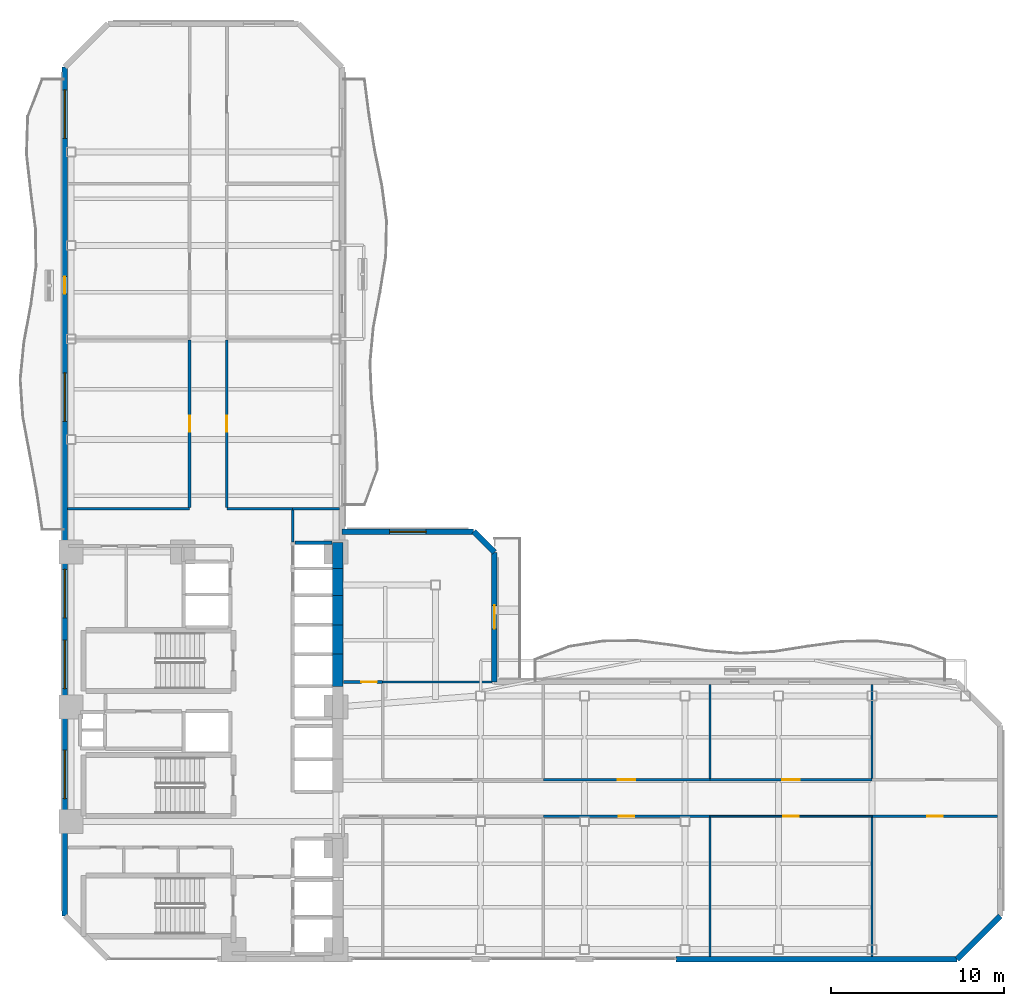
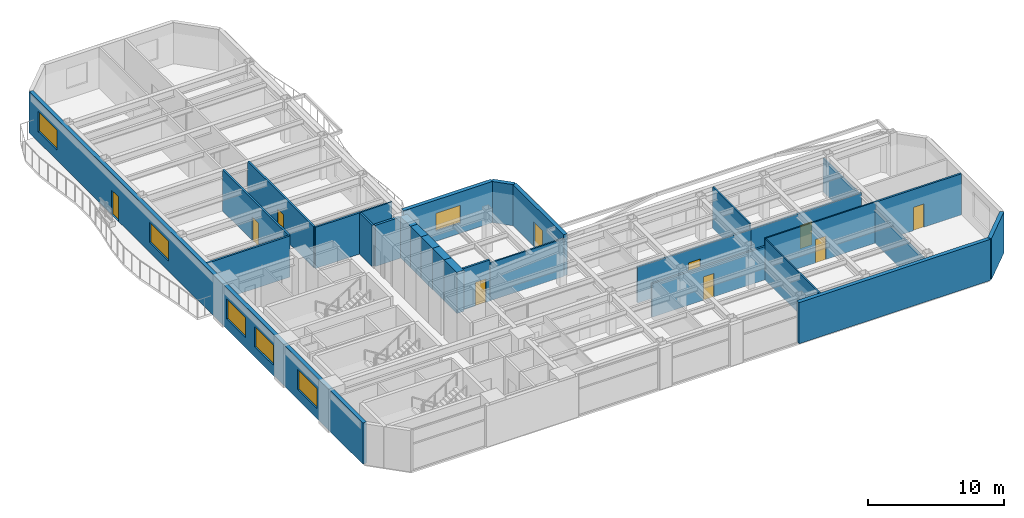
# One storey, part 11 of 17: 29 walls, 10 doors, 6 windows, 16 openings.
"""IFC4 building model written with IfcOpenShell, lengths in metres."""

from ifc_helpers import new_model, si_unit, direction, frame, frame_2d, origin, place, context, subcontext, project, spatial, rectangle, extrude, material, layer, layer_set, type_object, element, fill, save


model = new_model("IFC4")

# Units and contexts
model_context = context("Model", 3, precision=1e-05, world=origin(), true_north=direction((0.0, 1.0)))
body_context = subcontext(model_context, "Body", "Model", "MODEL_VIEW")
ifc_project = project(units=[si_unit("LENGTHUNIT", "METRE"), si_unit("AREAUNIT", "SQUARE_METRE"), si_unit("VOLUMEUNIT", "CUBIC_METRE"), si_unit("PLANEANGLEUNIT", "RADIAN"), si_unit("MASSUNIT", "GRAM", prefix="KILO")], contexts=[model_context])

# Site, building, storey
site_placement = place(None, origin())
site = spatial("IfcSite", under=ifc_project, at=site_placement, CompositionType="ELEMENT")
building_placement = place(site_placement, origin())
building = spatial("IfcBuilding", under=site, at=building_placement, Name="Mawjaban Terraces University", CompositionType="ELEMENT")
storey_placement = place(building_placement, frame((0.0, 0.0, 85.60009765625)))
storey = spatial("IfcBuildingStorey", under=building, at=storey_placement, Name="L20", CompositionType="ELEMENT", Elevation=85.60009765625)

# Walls
ifc_material_1 = material(Name="Concrete C70/85", Category="concrete")
ifc_layer_1 = layer(ifc_material_1, 0.60009765625)
ifc_layer_set_1 = layer_set([ifc_layer_1], Name="Concrete C70/85")
wall_type_1 = type_object("IfcWallType", Name="CoreShearWall_600", PredefinedType="SHEAR", material=ifc_layer_set_1)
wall_1_placement = place(storey_placement, frame((37.75, 15.75, 0.0), z_axis=(0.0, 0.0, 1.0), x_axis=(0.0, 1.0, 0.0)))
element("IfcWall", 1, at=wall_1_placement, inside=storey, type_object=wall_type_1, Name="L20 Lift OL-2 Hoistway Wall East", PredefinedType="SHEAR", context=body_context, shape_type="SweptSolid", body=[
    extrude(rectangle(XDim=1.85009765625, YDim=0.60009765625, at=frame_2d((0.925048828125, 0.0))), origin(), (0.0, 0.0, 1.0), 3.68994140625),
])
for number, where, z_axis, x_axis, name in (
    (2, (37.75, 17.60009765625, 0.0), (0.0, 0.0, 1.0), (0.0, 1.0, 0.0), "L20 Lift PL-M1 Hoistway Wall East"),
    (3, (37.75, 19.300048828125, 0.0), (0.0, 0.0, 1.0), (0.0, 1.0, 0.0), "L20 Lift PL-M2 Hoistway Wall East"),
):
    element("IfcWall", number, at=place(storey_placement, frame(where, z_axis=z_axis, x_axis=x_axis)), inside=storey, type_object=wall_type_1, Name=name, PredefinedType="SHEAR", context=body_context, shape_type="SweptSolid", body=[
        extrude(rectangle(XDim=1.699951171875, YDim=0.60009765625, at=frame_2d((0.85009765625, 0.0))), origin(), (0.0, 0.0, 1.0), 3.68994140625),
    ])
wall_2_placement = place(storey_placement, frame((37.75, 21.0, 0.0), z_axis=(0.0, 0.0, 1.0), x_axis=(0.0, 1.0, 0.0)))
element("IfcWall", 4, at=wall_2_placement, inside=storey, type_object=wall_type_1, Name="L20 Lift PL-L1 Hoistway Wall East", PredefinedType="SHEAR", context=body_context, shape_type="SweptSolid", body=[
    extrude(rectangle(XDim=1.550048828125, YDim=0.60009765625, at=frame_2d((0.77490234375, 0.0))), origin(), (0.0, 0.0, 1.0), 3.68994140625),
])
wall_3_placement = place(storey_placement, frame((37.75, 22.550048828125, 0.0), z_axis=(0.0, 0.0, 1.0), x_axis=(0.0, 1.0, 0.0)))
element("IfcWall", 5, at=wall_3_placement, inside=storey, type_object=wall_type_1, Name="L20 Lift PL-L2 Hoistway Wall East", PredefinedType="SHEAR", context=body_context, shape_type="SweptSolid", body=[
    extrude(rectangle(XDim=1.5, YDim=0.60009765625, at=frame_2d((0.75, 0.0))), origin(), (0.0, 0.0, 1.0), 3.68994140625),
])
ifc_material_2 = material(Name="Fire-rated gypsum board on steel stud", Category="steel")
ifc_layer_2 = layer(ifc_material_2, 0.159912109375)
ifc_layer_set_2 = layer_set([ifc_layer_2], Name="Fire-rated gypsum board on steel stud")
wall_type_2 = type_object("IfcWallType", Name="CorridorPartition_160", PredefinedType="PARTITIONING", material=ifc_layer_set_2)
wall_4_placement = place(storey_placement, frame((29.199951171875, 26.0, 0.0), z_axis=(0.0, 0.0, 1.0), x_axis=(-1.0, 0.0, 0.0)))
element("IfcWall", 6, at=wall_4_placement, inside=storey, type_object=wall_type_2, Name="L20 North Core Cross-Corridor Partition 9", PredefinedType="PARTITIONING", context=body_context, shape_type="SweptSolid", body=[
    extrude(rectangle(XDim=7.044921875, YDim=0.159912109375, at=frame_2d((3.5224609375, 0.0))), origin(), (0.0, 0.0, 1.0), 3.68994140625),
])
wall_5_placement = place(storey_placement, frame((35.14990234375, 26.0, 0.0), z_axis=(0.0, 0.0, 1.0), x_axis=(-1.0, 0.0, 0.0)))
element("IfcWall", 7, at=wall_5_placement, inside=storey, type_object=wall_type_2, Name="L20 North Core Cross-Corridor Partition 14", PredefinedType="PARTITIONING", context=body_context, shape_type="SweptSolid", body=[
    extrude(rectangle(XDim=3.7998046875, YDim=0.159912109375, at=frame_2d((1.89990234375, 0.0))), origin(), (0.0, 0.0, 1.0), 3.68994140625),
])

# Wall, opening, door
wall_6_placement = place(storey_placement, frame((40.35009765625, 16.0, 0.0), z_axis=(0.0, 0.0, 1.0), x_axis=(-1.0, 0.0, 0.0)))
wall_6 = element("IfcWall", 8, at=wall_6_placement, inside=storey, type_object=wall_type_2, Name="L20 East Academic Corridor Vestibule Partition 21", PredefinedType="PARTITIONING", context=body_context, shape_type="SweptSolid", body=[
    extrude(rectangle(XDim=2.27001953125, YDim=0.159912109375, at=frame_2d((1.135009765625, 0.0))), origin(), (0.0, 0.0, 1.0), 3.68994140625),
])
opening_1_placement = place(wall_6_placement, frame((0.3349609375, 0.0, 0.0)))
opening_1 = element("IfcOpeningElement", 9, at=opening_1_placement, cuts=wall_6, Name="Opening ID-090", PredefinedType="OPENING", context=body_context, shape_type="SweptSolid", body=[
    extrude(rectangle(XDim=0.89990234375, YDim=2.10009765625, at=frame_2d((0.449951171875, 1.050048828125))), frame((0.0, 0.08984375, 0.0), z_axis=(0.0, -1.0, 0.0), x_axis=(1.0, 0.0, 0.0)), (0.0, 0.0, 1.0), 0.179931640625),
])
ifc_material_3 = material(Name="Powder-coated steel frame and solid acoustic timber leaf", Category="steel")
door_type_1 = type_object("IfcDoorType", Name="OfficeDoor_900x2100", OperationType="NOTDEFINED", PredefinedType="DOOR", material=ifc_material_3)
door_1_placement = place(opening_1_placement, origin())
door_1 = element("IfcDoor", 10, at=door_1_placement, inside=storey, type_object=door_type_1, Name="L20 Terrace Collaborative Study Room Door", OperationType="SINGLE_SWING_RIGHT", OverallHeight=2.10009765625, OverallWidth=0.89990234375, PredefinedType="DOOR", context=body_context, shape_type="SweptSolid", body=[
    extrude(rectangle(XDim=0.89990234375, YDim=2.10009765625, at=frame_2d((0.449951171875, 1.050048828125))), frame((0.0, 0.02490234375, 0.0), z_axis=(0.0, -1.0, 0.0), x_axis=(1.0, 0.0, 0.0)), (0.0, 0.0, 1.0), 0.050048828125),
])
fill(opening_1, door_1)

wall_7_placement = place(storey_placement, frame((49.6201171875, 8.25, 0.0), z_axis=(0.0, 0.0, 1.0), x_axis=(1.0, 0.0, 0.0)))
wall_7 = element("IfcWall", 11, at=wall_7_placement, inside=storey, type_object=wall_type_2, Name="L20 East Academic Spine Corridor Partition 22", PredefinedType="PARTITIONING", context=body_context, shape_type="SweptSolid", body=[
    extrude(rectangle(XDim=9.619873046875, YDim=0.159912109375, at=frame_2d((4.81005859375, 0.0))), origin(), (0.0, 0.0, 1.0), 2.994873046875),
])
opening_2_placement = place(wall_7_placement, frame((4.360107421875, 0.0, 0.0)))
opening_2 = element("IfcOpeningElement", 12, at=opening_2_placement, cuts=wall_7, Name="Opening ID-090", PredefinedType="OPENING", context=body_context, shape_type="SweptSolid", body=[
    extrude(rectangle(XDim=0.89990234375, YDim=2.10009765625, at=frame_2d((0.449951171875, 1.050048828125))), frame((0.0, 0.08984375, 0.0), z_axis=(0.0, -1.0, 0.0), x_axis=(1.0, 0.0, 0.0)), (0.0, 0.0, 1.0), 0.179931640625),
])
door_2_placement = place(opening_2_placement, origin())
door_2 = element("IfcDoor", 13, at=door_2_placement, inside=storey, type_object=door_type_1, Name="L20 Seminar Room 4 Door", OperationType="SINGLE_SWING_RIGHT", OverallHeight=2.10009765625, OverallWidth=0.89990234375, PredefinedType="DOOR", context=body_context, shape_type="SweptSolid", body=[
    extrude(rectangle(XDim=0.89990234375, YDim=2.10009765625, at=frame_2d((0.449951171875, 1.050048828125))), frame((0.0, 0.02490234375, 0.0), z_axis=(0.0, -1.0, 0.0), x_axis=(1.0, 0.0, 0.0)), (0.0, 0.0, 1.0), 0.050048828125),
])
fill(opening_2, door_2)

wall_8_placement = place(storey_placement, frame((59.239990234375, 10.35009765625, 0.0), z_axis=(0.0, 0.0, 1.0), x_axis=(-1.0, 0.0, 0.0)))
wall_8 = element("IfcWall", 14, at=wall_8_placement, inside=storey, type_object=wall_type_2, Name="L20 East Academic Spine Corridor Partition 25", PredefinedType="PARTITIONING", context=body_context, shape_type="SweptSolid", body=[
    extrude(rectangle(XDim=9.619873046875, YDim=0.159912109375, at=frame_2d((4.81005859375, 0.0))), origin(), (0.0, 0.0, 1.0), 3.226806640625),
])
opening_3_placement = place(wall_8_placement, frame((4.31005859375, 0.0, 0.0)))
opening_3 = element("IfcOpeningElement", 15, at=opening_3_placement, cuts=wall_8, Name="Opening ID-100", PredefinedType="OPENING", context=body_context, shape_type="SweptSolid", body=[
    extrude(rectangle(XDim=1.0, YDim=2.10009765625, at=frame_2d((0.5, 1.050048828125))), frame((0.0, 0.08984375, 0.0), z_axis=(0.0, -1.0, 0.0), x_axis=(1.0, 0.0, 0.0)), (0.0, 0.0, 1.0), 0.179931640625),
])
door_type_2 = type_object("IfcDoorType", Name="ClassroomDoor_1000x2100", OperationType="NOTDEFINED", PredefinedType="DOOR", material=ifc_material_3)
door_3_placement = place(opening_3_placement, origin())
door_3 = element("IfcDoor", 16, at=door_3_placement, inside=storey, type_object=door_type_2, Name="L20 Tutorial Room 5 Door", OperationType="SINGLE_SWING_LEFT", OverallHeight=2.10009765625, OverallWidth=1.0, PredefinedType="DOOR", context=body_context, shape_type="SweptSolid", body=[
    extrude(rectangle(XDim=1.0, YDim=2.10009765625, at=frame_2d((0.5, 1.050048828125))), frame((0.0, 0.02490234375, 0.0), z_axis=(0.0, -1.0, 0.0), x_axis=(1.0, 0.0, 0.0)), (0.0, 0.0, 1.0), 0.050048828125),
])
fill(opening_3, door_3)

wall_9_placement = place(storey_placement, frame((68.60009765625, 8.25, 0.0), z_axis=(0.0, 0.0, 1.0), x_axis=(1.0, 0.0, 0.0)))
wall_9 = element("IfcWall", 17, at=wall_9_placement, inside=storey, type_object=wall_type_2, Name="L20 East Academic Spine Corridor Partition 26", PredefinedType="PARTITIONING", context=body_context, shape_type="SweptSolid", body=[
    extrude(rectangle(XDim=7.244873046875, YDim=0.159912109375, at=frame_2d((3.62255859375, 0.0))), origin(), (0.0, 0.0, 1.0), 3.68994140625),
])
opening_4_placement = place(wall_9_placement, frame((3.173095703125, 0.0, 0.0)))
opening_4 = element("IfcOpeningElement", 18, at=opening_4_placement, cuts=wall_9, Name="Opening ID-090", PredefinedType="OPENING", context=body_context, shape_type="SweptSolid", body=[
    extrude(rectangle(XDim=0.89990234375, YDim=2.10009765625, at=frame_2d((0.449951171875, 1.050048828125))), frame((0.0, 0.08984375, 0.0), z_axis=(0.0, -1.0, 0.0), x_axis=(1.0, 0.0, 0.0)), (0.0, 0.0, 1.0), 0.179931640625),
])
door_4_placement = place(opening_4_placement, origin())
door_4 = element("IfcDoor", 19, at=door_4_placement, inside=storey, type_object=door_type_1, Name="L20 Seminar Room 8 Door", OperationType="SINGLE_SWING_RIGHT", OverallHeight=2.10009765625, OverallWidth=0.89990234375, PredefinedType="DOOR", context=body_context, shape_type="SweptSolid", body=[
    extrude(rectangle(XDim=0.89990234375, YDim=2.10009765625, at=frame_2d((0.449951171875, 1.050048828125))), frame((0.0, 0.02490234375, 0.0), z_axis=(0.0, -1.0, 0.0), x_axis=(1.0, 0.0, 0.0)), (0.0, 0.0, 1.0), 0.050048828125),
])
fill(opening_4, door_4)

wall_10_placement = place(storey_placement, frame((68.60009765625, 10.35009765625, 0.0), z_axis=(0.0, 0.0, 1.0), x_axis=(-1.0, 0.0, 0.0)))
wall_10 = element("IfcWall", 20, at=wall_10_placement, inside=storey, type_object=wall_type_2, Name="L20 East Academic Spine Corridor Partition 27", PredefinedType="PARTITIONING", context=body_context, shape_type="SweptSolid", body=[
    extrude(rectangle(XDim=9.360107421875, YDim=0.159912109375, at=frame_2d((4.68017578125, 0.0))), origin(), (0.0, 0.0, 1.0), 3.226806640625),
])
opening_5_placement = place(wall_10_placement, frame((4.179931640625, 0.0, 0.0)))
opening_5 = element("IfcOpeningElement", 21, at=opening_5_placement, cuts=wall_10, Name="Opening ID-100", PredefinedType="OPENING", context=body_context, shape_type="SweptSolid", body=[
    extrude(rectangle(XDim=1.0, YDim=2.10009765625, at=frame_2d((0.5, 1.050048828125))), frame((0.0, 0.08984375, 0.0), z_axis=(0.0, -1.0, 0.0), x_axis=(1.0, 0.0, 0.0)), (0.0, 0.0, 1.0), 0.179931640625),
])
door_5_placement = place(opening_5_placement, origin())
door_5 = element("IfcDoor", 22, at=door_5_placement, inside=storey, type_object=door_type_2, Name="L20 Classroom 7 Door", OperationType="SINGLE_SWING_LEFT", OverallHeight=2.10009765625, OverallWidth=1.0, PredefinedType="DOOR", context=body_context, shape_type="SweptSolid", body=[
    extrude(rectangle(XDim=1.0, YDim=2.10009765625, at=frame_2d((0.5, 1.050048828125))), frame((0.0, 0.02490234375, 0.0), z_axis=(0.0, -1.0, 0.0), x_axis=(1.0, 0.0, 0.0)), (0.0, 0.0, 1.0), 0.050048828125),
])
fill(opening_5, door_5)

wall_11_placement = place(storey_placement, frame((29.199951171875, 35.741943359375, 0.0), z_axis=(0.0, 0.0, 1.0), x_axis=(0.0, -1.0, 0.0)))
wall_11 = element("IfcWall", 23, at=wall_11_placement, inside=storey, type_object=wall_type_2, Name="L20 North Academic Spine Corridor Partition 34", PredefinedType="PARTITIONING", context=body_context, shape_type="SweptSolid", body=[
    extrude(rectangle(XDim=9.6669921875, YDim=0.159912109375, at=frame_2d((4.83349609375, 0.0))), origin(), (0.0, 0.0, 1.0), 3.68994140625),
])
opening_6_placement = place(wall_11_placement, frame((4.383056640625, 0.0, 0.0)))
opening_6 = element("IfcOpeningElement", 24, at=opening_6_placement, cuts=wall_11, Name="Opening ID-090", PredefinedType="OPENING", context=body_context, shape_type="SweptSolid", body=[
    extrude(rectangle(XDim=0.89990234375, YDim=2.10009765625, at=frame_2d((0.449951171875, 1.050048828125))), frame((0.0, 0.08984375, 0.0), z_axis=(0.0, -1.0, 0.0), x_axis=(1.0, 0.0, 0.0)), (0.0, 0.0, 1.0), 0.179931640625),
])
door_6_placement = place(opening_6_placement, origin())
door_6 = element("IfcDoor", 25, at=door_6_placement, inside=storey, type_object=door_type_1, Name="L20 Student Tea Pantry 10 Door", OperationType="SINGLE_SWING_RIGHT", OverallHeight=2.10009765625, OverallWidth=0.89990234375, PredefinedType="DOOR", context=body_context, shape_type="SweptSolid", body=[
    extrude(rectangle(XDim=0.89990234375, YDim=2.10009765625, at=frame_2d((0.449951171875, 1.050048828125))), frame((0.0, 0.02490234375, 0.0), z_axis=(0.0, -1.0, 0.0), x_axis=(1.0, 0.0, 0.0)), (0.0, 0.0, 1.0), 0.050048828125),
])
fill(opening_6, door_6)

wall_12_placement = place(storey_placement, frame((31.35009765625, 26.074951171875, 0.0), z_axis=(0.0, 0.0, 1.0), x_axis=(0.0, 1.0, 0.0)))
wall_12 = element("IfcWall", 26, at=wall_12_placement, inside=storey, type_object=wall_type_2, Name="L20 North Academic Spine Corridor Partition 37", PredefinedType="PARTITIONING", context=body_context, shape_type="SweptSolid", body=[
    extrude(rectangle(XDim=9.6669921875, YDim=0.159912109375, at=frame_2d((4.83349609375, 0.0))), origin(), (0.0, 0.0, 1.0), 3.68994140625),
])
opening_7_placement = place(wall_12_placement, frame((4.383056640625, 0.0, 0.0)))
opening_7 = element("IfcOpeningElement", 27, at=opening_7_placement, cuts=wall_12, Name="Opening ID-090", PredefinedType="OPENING", context=body_context, shape_type="SweptSolid", body=[
    extrude(rectangle(XDim=0.89990234375, YDim=2.10009765625, at=frame_2d((0.449951171875, 1.050048828125))), frame((0.0, 0.08984375, 0.0), z_axis=(0.0, -1.0, 0.0), x_axis=(1.0, 0.0, 0.0)), (0.0, 0.0, 1.0), 0.179931640625),
])
door_7_placement = place(opening_7_placement, origin())
door_7 = element("IfcDoor", 28, at=door_7_placement, inside=storey, type_object=door_type_1, Name="L20 Student Tea Pantry 11 Door", OperationType="SINGLE_SWING_LEFT", OverallHeight=2.10009765625, OverallWidth=0.89990234375, PredefinedType="DOOR", context=body_context, shape_type="SweptSolid", body=[
    extrude(rectangle(XDim=0.89990234375, YDim=2.10009765625, at=frame_2d((0.449951171875, 1.050048828125))), frame((0.0, 0.02490234375, 0.0), z_axis=(0.0, -1.0, 0.0), x_axis=(1.0, 0.0, 0.0)), (0.0, 0.0, 1.0), 0.050048828125),
])
fill(opening_7, door_7)

# Walls
wall_13_placement = place(storey_placement, frame((35.14990234375, 24.070068359375, 0.0), z_axis=(0.0, 0.0, 1.0), x_axis=(0.0, 1.0, 0.0)))
element("IfcWall", 29, at=wall_13_placement, inside=storey, type_object=wall_type_2, Name="L20 North Core Cross-Corridor Partition 42", PredefinedType="PARTITIONING", context=body_context, shape_type="SweptSolid", body=[
    extrude(rectangle(XDim=1.85498046875, YDim=0.159912109375, at=frame_2d((0.927490234375, 0.0))), origin(), (0.0, 0.0, 1.0), 3.68994140625),
])
ifc_material_4 = material(Name="Insulated terracotta rainscreen on concrete backup C40/50", Category="masonry")
ifc_layer_3 = layer(ifc_material_4, 0.320068359375)
ifc_layer_set_3 = layer_set([ifc_layer_3], Name="Insulated terracotta rainscreen on concrete backup C40/50")
wall_type_3 = type_object("IfcWallType", Name="ExtTerracottaWall_320", PredefinedType="SOLIDWALL", material=ifc_layer_set_3)
wall_14_placement = place(storey_placement, frame((57.27490234375, 0.0, 0.0), z_axis=(0.0, 0.0, 1.0), x_axis=(1.0, 0.0, 0.0)))
element("IfcWall", 30, at=wall_14_placement, inside=storey, type_object=wall_type_3, Name="L20 Exterior Terracotta Pier Wall 1.4", PredefinedType="SOLIDWALL", context=body_context, shape_type="SweptSolid", body=[
    extrude(rectangle(XDim=16.22509765625, YDim=0.320068359375, at=frame_2d((8.112548828125, 0.0))), origin(), (0.0, 0.0, 1.0), 3.68994140625),
])
wall_15_placement = place(storey_placement, frame((73.5, 0.0, 0.0), z_axis=(0.0, 0.0, 1.0), x_axis=(0.707106781187, 0.707106781187, 0.0)))
element("IfcWall", 31, at=wall_15_placement, inside=storey, type_object=wall_type_3, Name="L20 Exterior Terracotta Wall 2", PredefinedType="SOLIDWALL", context=body_context, shape_type="SweptSolid", body=[
    extrude(rectangle(XDim=3.53564453125, YDim=0.320068359375, at=frame_2d((1.767822265625, 0.0))), origin(), (0.0, 0.0, 1.0), 3.68994140625),
])

# Wall, opening, door
wall_16_placement = place(storey_placement, frame((46.800048828125, 16.0, 0.0), z_axis=(0.0, 0.0, 1.0), x_axis=(0.0, 1.0, 0.0)))
wall_16 = element("IfcWall", 32, at=wall_16_placement, inside=storey, type_object=wall_type_3, Name="L20 Exterior Terracotta Wall 6", PredefinedType="SOLIDWALL", context=body_context, shape_type="SweptSolid", body=[
    extrude(rectangle(XDim=7.485107421875, YDim=0.320068359375, at=frame_2d((3.74267578125, 0.0))), origin(), (0.0, 0.0, 1.0), 3.68994140625),
])
opening_8_placement = place(wall_16_placement, frame((3.06689453125, 0.0, 0.0)))
opening_8 = element("IfcOpeningElement", 33, at=opening_8_placement, cuts=wall_16, Name="Opening TD-135", PredefinedType="OPENING", context=body_context, shape_type="SweptSolid", body=[
    extrude(rectangle(XDim=1.35009765625, YDim=2.199951171875, at=frame_2d((0.675048828125, 1.10009765625))), frame((0.0, 0.169921875, 0.0), z_axis=(0.0, -1.0, 0.0), x_axis=(1.0, 0.0, 0.0)), (0.0, 0.0, 1.0), 0.340087890625),
])
ifc_material_5 = material(Name="Thermally broken anodised aluminium and laminated safety glass", Category="aluminium")
door_type_3 = type_object("IfcDoorType", Name="TerraceGlazedDoor_1350x2200", OperationType="NOTDEFINED", PredefinedType="DOOR", material=ifc_material_5)
door_8_placement = place(opening_8_placement, origin())
door_8 = element("IfcDoor", 34, at=door_8_placement, inside=storey, type_object=door_type_3, Name="L20 Terrace Access Door TER-L20-CLIMB", OperationType="SINGLE_SWING_RIGHT", OverallHeight=2.199951171875, OverallWidth=1.35009765625, PredefinedType="DOOR", context=body_context, shape_type="SweptSolid", body=[
    extrude(rectangle(XDim=1.35009765625, YDim=2.199951171875, at=frame_2d((0.675048828125, 1.10009765625))), frame((0.0, 0.02490234375, 0.0), z_axis=(0.0, -1.0, 0.0), x_axis=(1.0, 0.0, 0.0)), (0.0, 0.0, 1.0), 0.050048828125),
])
fill(opening_8, door_8)

# Wall
wall_17_placement = place(storey_placement, frame((46.800048828125, 23.485107421875, 0.0), z_axis=(0.0, 0.0, 1.0), x_axis=(-0.707106781187, 0.707106781187, 0.0)))
element("IfcWall", 35, at=wall_17_placement, inside=storey, type_object=wall_type_3, Name="L20 Exterior Terracotta Wall 7", PredefinedType="SOLIDWALL", context=body_context, shape_type="SweptSolid", body=[
    extrude(rectangle(XDim=1.697021484375, YDim=0.320068359375, at=frame_2d((0.8486328125, 0.0))), origin(), (0.0, 0.0, 1.0), 3.68994140625),
])

# Wall, opening, window
wall_18_placement = place(storey_placement, frame((45.60009765625, 24.68505859375, 0.0), z_axis=(0.0, 0.0, 1.0), x_axis=(-1.0, 0.0, 0.0)))
wall_18 = element("IfcWall", 36, at=wall_18_placement, inside=storey, type_object=wall_type_3, Name="L20 Exterior Terracotta Wall 8", PredefinedType="SOLIDWALL", context=body_context, shape_type="SweptSolid", body=[
    extrude(rectangle(XDim=7.60009765625, YDim=0.320068359375, at=frame_2d((3.800048828125, 0.0))), origin(), (0.0, 0.0, 1.0), 3.68994140625),
])
opening_9_placement = place(wall_18_placement, frame((2.75, 0.0, 0.89990234375)))
opening_9 = element("IfcOpeningElement", 37, at=opening_9_placement, cuts=wall_18, Name="Opening W-04", PredefinedType="OPENING", context=body_context, shape_type="SweptSolid", body=[
    extrude(rectangle(XDim=2.10009765625, YDim=1.60009765625, at=frame_2d((1.050048828125, 0.800048828125))), frame((0.0, 0.169921875, 0.0), z_axis=(0.0, -1.0, 0.0), x_axis=(1.0, 0.0, 0.0)), (0.0, 0.0, 1.0), 0.340087890625),
])
ifc_material_6 = material(Name="Low-E solar-control double glazing in thermally broken aluminium frame", Category="aluminium")
window_type_1 = type_object("IfcWindowType", Name="Win_2100x1600", PartitioningType="SINGLE_PANEL", PredefinedType="WINDOW", material=ifc_material_6)
window_1_placement = place(opening_9_placement, origin())
window_1 = element("IfcWindow", 38, at=window_1_placement, inside=storey, type_object=window_type_1, Name="L20 Facade Window 8.1", OverallHeight=1.60009765625, OverallWidth=2.10009765625, PartitioningType="SINGLE_PANEL", PredefinedType="WINDOW", context=body_context, shape_type="SweptSolid", body=[
    extrude(rectangle(XDim=2.10009765625, YDim=1.60009765625, at=frame_2d((1.050048828125, 0.800048828125))), frame((0.0, 0.030029296875, 0.0), z_axis=(0.0, -1.0, 0.0), x_axis=(1.0, 0.0, 0.0)), (0.0, 0.0, 1.0), 0.06005859375),
])
fill(opening_9, window_1)

# Wall, openings, door, windows
wall_19_placement = place(storey_placement, frame((22.0, 51.5, 0.0), z_axis=(0.0, 0.0, 1.0), x_axis=(0.0, -1.0, 0.0)))
wall_19 = element("IfcWall", 39, at=wall_19_placement, inside=storey, type_object=wall_type_3, Name="L20 Exterior Terracotta Wall 13", PredefinedType="SOLIDWALL", context=body_context, shape_type="SweptSolid", body=[
    extrude(rectangle(XDim=49.0, YDim=0.320068359375, at=frame_2d((24.5, 0.0))), origin(), (0.0, 0.0, 1.0), 3.68994140625),
])
opening_10_placement = place(wall_19_placement, frame((12.10009765625, 0.0, 0.0)))
opening_10 = element("IfcOpeningElement", 40, at=opening_10_placement, cuts=wall_19, Name="Opening BD-100", PredefinedType="OPENING", context=body_context, shape_type="SweptSolid", body=[
    extrude(rectangle(XDim=1.0, YDim=2.199951171875, at=frame_2d((0.5, 1.10009765625))), frame((0.0, 0.169921875, 0.0), z_axis=(0.0, -1.0, 0.0), x_axis=(1.0, 0.0, 0.0)), (0.0, 0.0, 1.0), 0.340087890625),
])
opening_11_placement = place(wall_19_placement, frame((1.322021484375, 0.0, 0.89990234375)))
opening_11 = element("IfcOpeningElement", 41, at=opening_11_placement, cuts=wall_19, Name="Opening W-09", PredefinedType="OPENING", context=body_context, shape_type="SweptSolid", body=[
    extrude(rectangle(XDim=2.800048828125, YDim=1.800048828125, at=frame_2d((1.39990234375, 0.89990234375))), frame((0.0, 0.169921875, 0.0), z_axis=(0.0, -1.0, 0.0), x_axis=(1.0, 0.0, 0.0)), (0.0, 0.0, 1.0), 0.340087890625),
])
opening_12_placement = place(wall_19_placement, frame((17.656005859375, 0.0, 0.89990234375)))
opening_12 = element("IfcOpeningElement", 42, at=opening_12_placement, cuts=wall_19, Name="Opening W-09", PredefinedType="OPENING", context=body_context, shape_type="SweptSolid", body=[
    extrude(rectangle(XDim=2.800048828125, YDim=1.800048828125, at=frame_2d((1.39990234375, 0.89990234375))), frame((0.0, 0.169921875, 0.0), z_axis=(0.0, -1.0, 0.0), x_axis=(1.0, 0.0, 0.0)), (0.0, 0.0, 1.0), 0.340087890625),
])
opening_13_placement = place(wall_19_placement, frame((28.993896484375, 0.0, 0.89990234375)))
opening_13 = element("IfcOpeningElement", 43, at=opening_13_placement, cuts=wall_19, Name="Opening W-09", PredefinedType="OPENING", context=body_context, shape_type="SweptSolid", body=[
    extrude(rectangle(XDim=2.800048828125, YDim=1.800048828125, at=frame_2d((1.39990234375, 0.89990234375))), frame((0.0, 0.169921875, 0.0), z_axis=(0.0, -1.0, 0.0), x_axis=(1.0, 0.0, 0.0)), (0.0, 0.0, 1.0), 0.340087890625),
])
opening_14_placement = place(wall_19_placement, frame((33.089111328125, 0.0, 0.89990234375)))
opening_14 = element("IfcOpeningElement", 44, at=opening_14_placement, cuts=wall_19, Name="Opening W-09", PredefinedType="OPENING", context=body_context, shape_type="SweptSolid", body=[
    extrude(rectangle(XDim=2.800048828125, YDim=1.800048828125, at=frame_2d((1.39990234375, 0.89990234375))), frame((0.0, 0.169921875, 0.0), z_axis=(0.0, -1.0, 0.0), x_axis=(1.0, 0.0, 0.0)), (0.0, 0.0, 1.0), 0.340087890625),
])
opening_15_placement = place(wall_19_placement, frame((39.43310546875, 0.0, 0.89990234375)))
opening_15 = element("IfcOpeningElement", 45, at=opening_15_placement, cuts=wall_19, Name="Opening W-09", PredefinedType="OPENING", context=body_context, shape_type="SweptSolid", body=[
    extrude(rectangle(XDim=2.800048828125, YDim=1.800048828125, at=frame_2d((1.39990234375, 0.89990234375))), frame((0.0, 0.169921875, 0.0), z_axis=(0.0, -1.0, 0.0), x_axis=(1.0, 0.0, 0.0)), (0.0, 0.0, 1.0), 0.340087890625),
])
door_type_4 = type_object("IfcDoorType", Name="BalconyGlazedDoor_1000x2200", OperationType="NOTDEFINED", PredefinedType="DOOR", material=ifc_material_5)
door_9_placement = place(opening_10_placement, origin())
door_9 = element("IfcDoor", 46, at=door_9_placement, inside=storey, type_object=door_type_4, Name="L20 Balcony Access Door west", OperationType="SINGLE_SWING_LEFT", OverallHeight=2.199951171875, OverallWidth=1.0, PredefinedType="DOOR", context=body_context, shape_type="SweptSolid", body=[
    extrude(rectangle(XDim=1.0, YDim=2.199951171875, at=frame_2d((0.5, 1.10009765625))), frame((0.0, 0.02490234375, 0.0), z_axis=(0.0, -1.0, 0.0), x_axis=(1.0, 0.0, 0.0)), (0.0, 0.0, 1.0), 0.050048828125),
])
fill(opening_10, door_9)
window_type_2 = type_object("IfcWindowType", Name="Win_2800x1800", PartitioningType="SINGLE_PANEL", PredefinedType="WINDOW", material=ifc_material_6)
window_2_placement = place(opening_11_placement, origin())
window_2 = element("IfcWindow", 47, at=window_2_placement, inside=storey, type_object=window_type_2, Name="L20 Facade Window 13.1", OverallHeight=1.800048828125, OverallWidth=2.800048828125, PartitioningType="SINGLE_PANEL", PredefinedType="WINDOW", context=body_context, shape_type="SweptSolid", body=[
    extrude(rectangle(XDim=2.800048828125, YDim=1.800048828125, at=frame_2d((1.39990234375, 0.89990234375))), frame((0.0, 0.030029296875, 0.0), z_axis=(0.0, -1.0, 0.0), x_axis=(1.0, 0.0, 0.0)), (0.0, 0.0, 1.0), 0.06005859375),
])
fill(opening_11, window_2)
window_3_placement = place(opening_12_placement, origin())
window_3 = element("IfcWindow", 48, at=window_3_placement, inside=storey, type_object=window_type_2, Name="L20 Facade Window 13.4", OverallHeight=1.800048828125, OverallWidth=2.800048828125, PartitioningType="SINGLE_PANEL", PredefinedType="WINDOW", context=body_context, shape_type="SweptSolid", body=[
    extrude(rectangle(XDim=2.800048828125, YDim=1.800048828125, at=frame_2d((1.39990234375, 0.89990234375))), frame((0.0, 0.030029296875, 0.0), z_axis=(0.0, -1.0, 0.0), x_axis=(1.0, 0.0, 0.0)), (0.0, 0.0, 1.0), 0.06005859375),
])
fill(opening_12, window_3)
window_4_placement = place(opening_13_placement, origin())
window_4 = element("IfcWindow", 49, at=window_4_placement, inside=storey, type_object=window_type_2, Name="L20 Facade Window 13.6", OverallHeight=1.800048828125, OverallWidth=2.800048828125, PartitioningType="SINGLE_PANEL", PredefinedType="WINDOW", context=body_context, shape_type="SweptSolid", body=[
    extrude(rectangle(XDim=2.800048828125, YDim=1.800048828125, at=frame_2d((1.39990234375, 0.89990234375))), frame((0.0, 0.030029296875, 0.0), z_axis=(0.0, -1.0, 0.0), x_axis=(1.0, 0.0, 0.0)), (0.0, 0.0, 1.0), 0.06005859375),
])
fill(opening_13, window_4)
window_5_placement = place(opening_14_placement, origin())
window_5 = element("IfcWindow", 50, at=window_5_placement, inside=storey, type_object=window_type_2, Name="L20 Facade Window 13.7", OverallHeight=1.800048828125, OverallWidth=2.800048828125, PartitioningType="SINGLE_PANEL", PredefinedType="WINDOW", context=body_context, shape_type="SweptSolid", body=[
    extrude(rectangle(XDim=2.800048828125, YDim=1.800048828125, at=frame_2d((1.39990234375, 0.89990234375))), frame((0.0, 0.030029296875, 0.0), z_axis=(0.0, -1.0, 0.0), x_axis=(1.0, 0.0, 0.0)), (0.0, 0.0, 1.0), 0.06005859375),
])
fill(opening_14, window_5)
window_6_placement = place(opening_15_placement, origin())
window_6 = element("IfcWindow", 51, at=window_6_placement, inside=storey, type_object=window_type_2, Name="L20 Facade Window 13.8", OverallHeight=1.800048828125, OverallWidth=2.800048828125, PartitioningType="SINGLE_PANEL", PredefinedType="WINDOW", context=body_context, shape_type="SweptSolid", body=[
    extrude(rectangle(XDim=2.800048828125, YDim=1.800048828125, at=frame_2d((1.39990234375, 0.89990234375))), frame((0.0, 0.030029296875, 0.0), z_axis=(0.0, -1.0, 0.0), x_axis=(1.0, 0.0, 0.0)), (0.0, 0.0, 1.0), 0.06005859375),
])
fill(opening_15, window_6)

# Walls
ifc_material_7 = material(Name="Concrete C40/50", Category="concrete")
ifc_layer_4 = layer(ifc_material_7, 0.199951171875)
ifc_layer_set_4 = layer_set([ifc_layer_4], Name="Concrete C40/50")
wall_type_4 = type_object("IfcWallType", Name="FireLobbyWall_200", PredefinedType="SOLIDWALL", material=ifc_layer_set_4)
wall_20_placement = place(storey_placement, frame((37.419921875, 24.050048828125, 0.0), z_axis=(0.0, 0.0, 1.0), x_axis=(-1.0, 0.0, 0.0)))
element("IfcWall", 52, at=wall_20_placement, inside=storey, type_object=wall_type_4, Name="L20 Lift PL-L2 Hoistway Wall North", PredefinedType="SOLIDWALL", context=body_context, shape_type="SweptSolid", body=[
    extrude(rectangle(XDim=2.139892578125, YDim=0.199951171875, at=frame_2d((1.06982421875, 0.0))), origin(), (0.0, 0.0, 1.0), 3.68994140625),
])
ifc_material_8 = material(Name="Gypsum plasterboard on steel stud", Category="steel")
ifc_layer_5 = layer(ifc_material_8, 0.125)
ifc_layer_set_5 = layer_set([ifc_layer_5], Name="Gypsum plasterboard on steel stud")
wall_type_5 = type_object("IfcWallType", Name="OfficePartition_125", PredefinedType="PARTITIONING", material=ifc_layer_set_5)
wall_21_placement = place(storey_placement, frame((35.14990234375, 26.0, 0.0), z_axis=(0.0, 0.0, 1.0), x_axis=(1.0, 0.0, 0.0)))
element("IfcWall", 53, at=wall_21_placement, inside=storey, type_object=wall_type_5, Name="L20 Student Tea Pantry 11 Partition 15", PredefinedType="PARTITIONING", context=body_context, shape_type="SweptSolid", body=[
    extrude(rectangle(XDim=2.695068359375, YDim=0.125, at=frame_2d((1.34765625, 0.0))), origin(), (0.0, 0.0, 1.0), 3.68994140625),
])
wall_22_placement = place(storey_placement, frame((40.35009765625, 16.0, 0.0), z_axis=(0.0, 0.0, 1.0), x_axis=(1.0, 0.0, 0.0)))
element("IfcWall", 54, at=wall_22_placement, inside=storey, type_object=wall_type_5, Name="L20 Terrace Collaborative Study Room Partition 20", PredefinedType="PARTITIONING", context=body_context, shape_type="SweptSolid", body=[
    extrude(rectangle(XDim=6.294921875, YDim=0.125, at=frame_2d((3.1474609375, 0.0))), origin(), (0.0, 0.0, 1.0), 3.389892578125),
])
wall_23_placement = place(storey_placement, frame((59.239990234375, 10.425048828125, 0.0), z_axis=(0.0, 0.0, 1.0), x_axis=(0.0, 1.0, 0.0)))
element("IfcWall", 55, at=wall_23_placement, inside=storey, type_object=wall_type_5, Name="L20 Tutorial Room 5 Partition 49", PredefinedType="PARTITIONING", context=body_context, shape_type="SweptSolid", body=[
    extrude(rectangle(XDim=5.419921875, YDim=0.125, at=frame_2d((2.7099609375, 0.0))), origin(), (0.0, 0.0, 1.0), 3.68994140625),
])
wall_24_placement = place(storey_placement, frame((68.60009765625, 0.155029296875, 0.0), z_axis=(0.0, 0.0, 1.0), x_axis=(0.0, 1.0, 0.0)))
element("IfcWall", 56, at=wall_24_placement, inside=storey, type_object=wall_type_5, Name="L20 Conference Room 6 Partition 50", PredefinedType="PARTITIONING", context=body_context, shape_type="SweptSolid", body=[
    extrude(rectangle(XDim=8.02001953125, YDim=0.125, at=frame_2d((4.010009765625, 0.0))), origin(), (0.0, 0.0, 1.0), 2.994873046875),
])
wall_25_placement = place(storey_placement, frame((68.60009765625, 10.425048828125, 0.0), z_axis=(0.0, 0.0, 1.0), x_axis=(0.0, 1.0, 0.0)))
element("IfcWall", 57, at=wall_25_placement, inside=storey, type_object=wall_type_5, Name="L20 Classroom 7 Partition 51", PredefinedType="PARTITIONING", context=body_context, shape_type="SweptSolid", body=[
    extrude(rectangle(XDim=5.419921875, YDim=0.125, at=frame_2d((2.7099609375, 0.0))), origin(), (0.0, 0.0, 1.0), 2.994873046875),
])

# Wall, opening, door
ifc_material_9 = material(Name="Acoustic operable panel partition", Category="masonry")
ifc_layer_6 = layer(ifc_material_9, 0.110107421875)
ifc_layer_set_6 = layer_set([ifc_layer_6], Name="Acoustic operable panel partition")
wall_type_6 = type_object("IfcWallType", Name="OperableSeminarWall_110", PredefinedType="MOVABLE", material=ifc_layer_set_6)
wall_26_placement = place(storey_placement, frame((59.239990234375, 8.25, 0.0), z_axis=(0.0, 0.0, 1.0), x_axis=(1.0, 0.0, 0.0)))
wall_26 = element("IfcWall", 58, at=wall_26_placement, inside=storey, type_object=wall_type_6, Name="L20 East Academic Spine Corridor Partition 24", PredefinedType="MOVABLE", context=body_context, shape_type="SweptSolid", body=[
    extrude(rectangle(XDim=9.360107421875, YDim=0.110107421875, at=frame_2d((4.68017578125, 0.0))), origin(), (0.0, 0.0, 1.0), 3.68994140625),
])
opening_16_placement = place(wall_26_placement, frame((4.22998046875, 0.0, 0.0)))
opening_16 = element("IfcOpeningElement", 59, at=opening_16_placement, cuts=wall_26, Name="Opening ID-090", PredefinedType="OPENING", context=body_context, shape_type="SweptSolid", body=[
    extrude(rectangle(XDim=0.89990234375, YDim=2.10009765625, at=frame_2d((0.449951171875, 1.050048828125))), frame((0.0, 0.06494140625, 0.0), z_axis=(0.0, -1.0, 0.0), x_axis=(1.0, 0.0, 0.0)), (0.0, 0.0, 1.0), 0.130126953125),
])
door_10_placement = place(opening_16_placement, origin())
door_10 = element("IfcDoor", 60, at=door_10_placement, inside=storey, type_object=door_type_1, Name="L20 Conference Room 6 Door", OperationType="SINGLE_SWING_RIGHT", OverallHeight=2.10009765625, OverallWidth=0.89990234375, PredefinedType="DOOR", context=body_context, shape_type="SweptSolid", body=[
    extrude(rectangle(XDim=0.89990234375, YDim=2.10009765625, at=frame_2d((0.449951171875, 1.050048828125))), frame((0.0, 0.02490234375, 0.0), z_axis=(0.0, -1.0, 0.0), x_axis=(1.0, 0.0, 0.0)), (0.0, 0.0, 1.0), 0.050048828125),
])
fill(opening_16, door_10)

# Wall
wall_27_placement = place(storey_placement, frame((59.239990234375, 0.155029296875, 0.0), z_axis=(0.0, 0.0, 1.0), x_axis=(0.0, 1.0, 0.0)))
element("IfcWall", 61, at=wall_27_placement, inside=storey, type_object=wall_type_6, Name="L20 Seminar Room 4 Partition 48", PredefinedType="MOVABLE", context=body_context, shape_type="SweptSolid", body=[
    extrude(rectangle(XDim=8.02001953125, YDim=0.110107421875, at=frame_2d((4.010009765625, 0.0))), origin(), (0.0, 0.0, 1.0), 3.68994140625),
])

save(model, "model.ifc")
